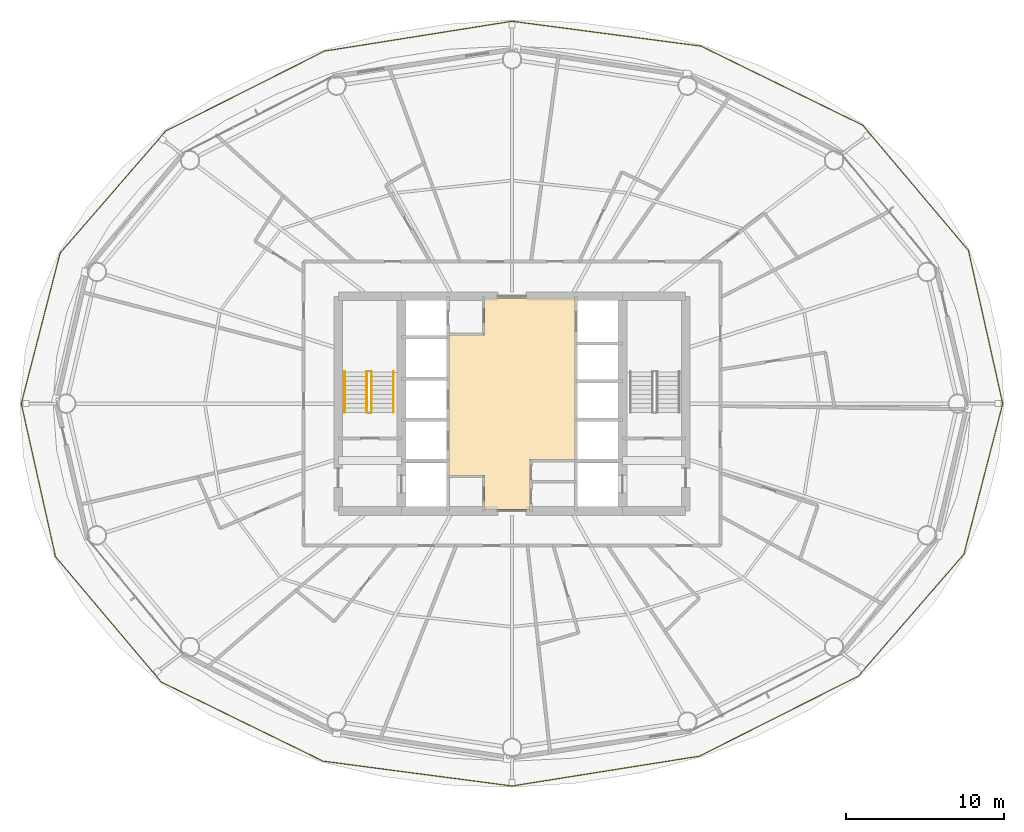
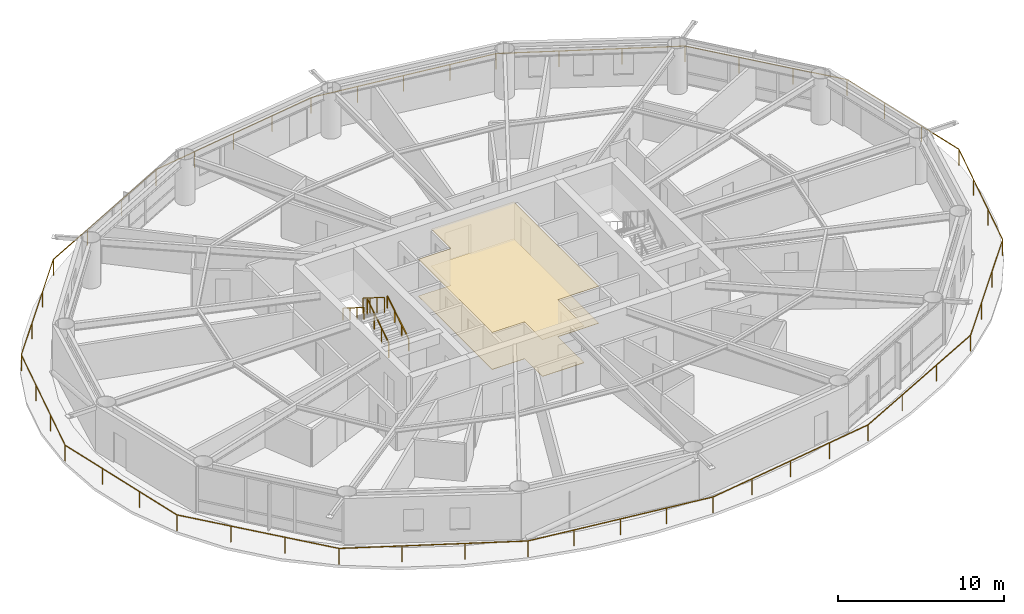
# One storey, part 23 of 24: 5 railings, 2 coverings.
"""IFC4 building model written with IfcOpenShell, lengths in metres."""

import ifcopenshell
import ifcopenshell.guid

model = None  # the IFC model being written
_history = None  # IfcOwnerHistory: only IFC2X3 demands one
_inside = {}  # id of a spatial element -> (the spatial element, [elements in it])
_under = {}  # id of a project, library or spatial element -> (it, [spatial elements below it])
_declared = {}  # id of a project -> (the project, [libraries it declares])
_typed = {}  # id of a type object -> (the type object, [elements of that type])
_made_of = {}  # id of a material, layer set ... -> (it, [elements and type objects made of it])


def new_model(schema):
    """Start an empty IFC model of exactly this schema.

    Asked for "IFC4X3", IfcOpenShell would pick the latest addendum, in which some entities
    have other attributes; the version numbers below select the first issue.
    IFC2X3 requires an IfcOwnerHistory on every rooted entity: one is made here for all.
    """
    global model, _history
    if schema == "IFC4X3":
        model = ifcopenshell.file(schema_version=(4, 3, 0, 0))
    else:
        model = ifcopenshell.file(schema=schema)
    _inside.clear()
    _under.clear()
    _declared.clear()
    _typed.clear()
    _made_of.clear()
    _history = None
    if model.schema == "IFC2X3":
        org = make("IfcOrganization", Name="unknown")
        user = make(
            "IfcPersonAndOrganization",
            ThePerson=make("IfcPerson", FamilyName="unknown"),
            TheOrganization=org,
        )
        app = make(
            "IfcApplication",
            ApplicationDeveloper=org,
            Version="unknown",
            ApplicationFullName="unknown",
            ApplicationIdentifier="unknown",
        )
        _history = make(
            "IfcOwnerHistory",
            OwningUser=user,
            OwningApplication=app,
            ChangeAction="ADDED",
            CreationDate=0,
        )
    return model


def make(cls, **values):
    """One entity of the class cls with the attributes given. An attribute that is None is left unset."""
    return model.create_entity(
        cls, **{name: value for name, value in values.items() if value is not None}
    )


def rooted(cls, **values):
    """An entity with a GlobalId (a new one), such as an element, a storey or a relation."""
    return make(cls, GlobalId=ifcopenshell.guid.new(), OwnerHistory=_history, **values)


def si_unit(unit_type, name, prefix=None):
    """IfcSIUnit, for example si_unit("LENGTHUNIT", "METRE", prefix="MILLI")."""
    return make("IfcSIUnit", UnitType=unit_type, Prefix=prefix, Name=name)


def assignment(units):
    """IfcUnitAssignment: the units of a project."""
    return None if units is None else make("IfcUnitAssignment", Units=units)


def point(xyz):
    """IfcCartesianPoint."""
    return None if xyz is None else make("IfcCartesianPoint", Coordinates=xyz)


def direction(xyz):
    """IfcDirection."""
    return None if xyz is None else make("IfcDirection", DirectionRatios=xyz)


def frame(location, z_axis=None, x_axis=None):
    """IfcAxis2Placement3D, a coordinate frame: its origin and axes. An axis left out is left unset."""
    return make(
        "IfcAxis2Placement3D",
        Location=point(location),
        Axis=direction(z_axis),
        RefDirection=direction(x_axis),
    )


def frame_2d(location, x_axis=None):
    """IfcAxis2Placement2D, a coordinate frame in the plane: its origin and x axis."""
    return make(
        "IfcAxis2Placement2D", Location=point(location), RefDirection=direction(x_axis)
    )


def origin():
    """The frame at (0, 0, 0) with its axes left unset."""
    return frame((0.0, 0.0, 0.0))


def origin_2d():
    """The frame at (0, 0) in the plane with its x axis left unset."""
    return frame_2d((0.0, 0.0))


def place(relative_to, where):
    """IfcLocalPlacement: puts the frame where relative to a parent placement (None: the world)."""
    return make(
        "IfcLocalPlacement", PlacementRelTo=relative_to, RelativePlacement=where
    )


def context(
    kind, dimensions, precision=None, world=None, true_north=None, identifier=None
):
    """IfcGeometricRepresentationContext, for example the 3D "Model" context."""
    return make(
        "IfcGeometricRepresentationContext",
        ContextIdentifier=identifier,
        ContextType=kind,
        CoordinateSpaceDimension=dimensions,
        Precision=precision,
        WorldCoordinateSystem=world,
        TrueNorth=true_north,
    )


def subcontext(parent, identifier, kind, view, scale=None):
    """IfcGeometricRepresentationSubContext, for example "Body" below "Model"."""
    return make(
        "IfcGeometricRepresentationSubContext",
        ContextIdentifier=identifier,
        ContextType=kind,
        ParentContext=parent,
        TargetScale=scale,
        TargetView=view,
    )


def project(units=None, contexts=None):
    """IfcProject with its units and contexts."""
    return rooted(
        "IfcProject",
        Name="project",
        RepresentationContexts=contexts,
        UnitsInContext=assignment(units),
    )


def spatial(cls, under=None, at=None, **own):
    """A site, building, storey or space (cls), placed at a placement, below another one or the project."""
    s = rooted(cls, ObjectPlacement=at, **own)
    if under is not None:
        _under.setdefault(under.id(), (under, []))[1].append(s)
    return s


def polyline(points):
    """IfcPolyline through the points."""
    return make("IfcPolyline", Points=[point(p) for p in points])


def profile(cls, at=None, kind="AREA", **sizes):
    """A parametric profile (cls). Its sizes go by their IFC names, for example OverallWidth=200.0."""
    return make(cls, ProfileType=kind, Position=at, **sizes)


def rectangle(**sizes):
    """IfcRectangleProfileDef."""
    return profile("IfcRectangleProfileDef", **sizes)


def outline(outer, holes=None, kind="AREA"):
    """IfcArbitraryClosedProfileDef: a profile drawn as a closed curve; with holes, ...WithVoids."""
    if holes is None:
        return make("IfcArbitraryClosedProfileDef", ProfileType=kind, OuterCurve=outer)
    return make(
        "IfcArbitraryProfileDefWithVoids",
        ProfileType=kind,
        OuterCurve=outer,
        InnerCurves=holes,
    )


def extrude(swept, where, along, depth):
    """IfcExtrudedAreaSolid: the profile swept, set in the frame where, extruded along a direction by depth."""
    return make(
        "IfcExtrudedAreaSolid",
        SweptArea=swept,
        Position=where,
        ExtrudedDirection=direction(along),
        Depth=depth,
    )


def shape(context_of_items, identifier, shape_type, items):
    """IfcShapeRepresentation: the items that make up one representation, for example the "Body"."""
    return make(
        "IfcShapeRepresentation",
        ContextOfItems=context_of_items,
        RepresentationIdentifier=identifier,
        RepresentationType=shape_type,
        Items=items,
    )


def material(Name=None, Category=None):
    """IfcMaterial."""
    return make("IfcMaterial", Name=Name, Category=Category)


def layer(
    of_material, thickness, ventilated=None, Name=None, Category=None, Priority=None
):
    """IfcMaterialLayer: one layer of a wall or slab, of a material (None: an air gap)."""
    return make(
        "IfcMaterialLayer",
        Material=of_material,
        LayerThickness=thickness,
        IsVentilated=ventilated,
        Name=Name,
        Category=Category,
        Priority=Priority,
    )


def layer_set(layers, Name=None):
    """IfcMaterialLayerSet."""
    return make("IfcMaterialLayerSet", MaterialLayers=layers, LayerSetName=Name)


def made_of(thing, what):
    """Note that an element or type object is made of a material, layer set ...; save() writes the relation."""
    if what is not None:
        _made_of.setdefault(what.id(), (what, []))[1].append(thing)
    return thing


def type_object(cls, material=None, **own):
    """A type object (cls), such as IfcWallType, which elements share."""
    return made_of(rooted(cls, **own), material)


def element(
    cls,
    number,
    at=None,
    inside=None,
    cuts=None,
    type_object=None,
    material=None,
    context=None,
    identifier="Body",
    shape_type=None,
    held_by="IfcProductDefinitionShape",
    body=None,
    shapes=None,
    **own,
):
    """One element of the class cls, such as IfcWall. Its Tag is "e" and its number.

    at: its placement. inside: the storey or other place that contains it. cuts: it is an
    opening in that element (IfcRelVoidsElement). A single representation is given by context,
    identifier, shape_type and body (its items); several are given by shapes. held_by: the class
    of the entity that holds the representations. save() writes the other relations.
    """
    e = rooted(cls, Tag="e%d" % number, ObjectPlacement=at, **own)
    if body is not None:
        shapes = [shape(context, identifier, shape_type, body)]
    if shapes is not None:
        e.Representation = make(held_by, Representations=shapes)
    if inside is not None:
        _inside.setdefault(inside.id(), (inside, []))[1].append(e)
    if cuts is not None:
        rooted(
            "IfcRelVoidsElement", RelatingBuildingElement=cuts, RelatedOpeningElement=e
        )
    if type_object is not None:
        _typed.setdefault(type_object.id(), (type_object, []))[1].append(e)
    return made_of(e, material)


def aggregate(whole, parts):
    """IfcRelAggregates: a whole, such as a stair, and the parts it consists of."""
    return rooted("IfcRelAggregates", RelatingObject=whole, RelatedObjects=parts)


def save(model, path):
    """Write the relations noted so far, then the file.

    IfcRelAggregates (storeys below a building ...), IfcRelContainedInSpatialStructure (elements
    in a storey), IfcRelDefinesByType, IfcRelAssociatesMaterial and IfcRelDeclares: one each for
    every whole, place, type object, material and project.
    """
    for whole, parts in _under.values():
        aggregate(whole, parts)
    for where, things in _inside.values():
        rooted(
            "IfcRelContainedInSpatialStructure",
            RelatedElements=things,
            RelatingStructure=where,
        )
    for kind, things in _typed.values():
        rooted("IfcRelDefinesByType", RelatedObjects=things, RelatingType=kind)
    for what, things in _made_of.values():
        rooted("IfcRelAssociatesMaterial", RelatedObjects=things, RelatingMaterial=what)
    for by, libraries in _declared.values():
        rooted("IfcRelDeclares", RelatingContext=by, RelatedDefinitions=libraries)
    model.write(path)


model = new_model("IFC4")

# Units and contexts
model_context = context("Model", 3, precision=1e-05, world=origin(), true_north=direction((0.0, 1.0)))
body_context = subcontext(model_context, "Body", "Model", "MODEL_VIEW")
ifc_project = project(units=[si_unit("LENGTHUNIT", "METRE"), si_unit("AREAUNIT", "SQUARE_METRE"), si_unit("VOLUMEUNIT", "CUBIC_METRE"), si_unit("PLANEANGLEUNIT", "RADIAN"), si_unit("MASSUNIT", "GRAM", prefix="KILO")], contexts=[model_context])

# Site, building, storey
site_placement = place(None, origin())
site = spatial("IfcSite", under=ifc_project, at=site_placement, CompositionType="ELEMENT")
building_placement = place(site_placement, origin())
building = spatial("IfcBuilding", under=site, at=building_placement, Name="Sarneth Arch Tower", CompositionType="ELEMENT")
storey_placement = place(building_placement, frame((0.0, 0.0, 112.800048828125)))
storey = spatial("IfcBuildingStorey", under=building, at=storey_placement, Name="L28", CompositionType="ELEMENT", Elevation=112.800048828125)

# Coverings
ifc_material_1 = material(Name="Perforated acoustic gypsum ceiling board")
ifc_layer_1 = layer(ifc_material_1, 0.02490234375)
ifc_layer_set_1 = layer_set([ifc_layer_1], Name="Perforated acoustic gypsum ceiling board")
covering_type_1 = type_object("IfcCoveringType", Name="COV-CEIL-GYP", PredefinedType="CEILING", material=ifc_layer_set_1)
covering_1_placement = place(storey_placement, frame((0.0, 0.0, 2.7099609375)))
element("IfcCovering", 1, at=covering_1_placement, inside=storey, type_object=covering_type_1, Name="L28 Lift lobby acoustic ceiling", PredefinedType="CEILING", context=body_context, shape_type="SweptSolid", body=[
    extrude(outline(polyline([(49.14990234375, 38.449951171875), (49.14990234375, 35.300048828125), (46.25, 35.300048828125), (46.25, 37.449951171875), (44.0, 37.449951171875), (44.0, 46.35009765625), (46.25, 46.35009765625), (46.25, 48.699951171875), (52.0, 48.699951171875), (52.0, 38.449951171875), (49.14990234375, 38.449951171875)])), origin(), (0.0, 0.0, 1.0), 0.030029296875),
])
ifc_material_2 = material(Name="Honed granite stone flooring", Category="masonry")
ifc_layer_2 = layer(ifc_material_2, 0.030029296875)
ifc_layer_set_2 = layer_set([ifc_layer_2], Name="Honed granite stone flooring")
covering_type_2 = type_object("IfcCoveringType", Name="COV-FLR-STONE", PredefinedType="FLOORING", material=ifc_layer_set_2)
covering_2_placement = place(storey_placement, origin())
element("IfcCovering", 2, at=covering_2_placement, inside=storey, type_object=covering_type_2, Name="L28 Lift lobby granite flooring", PredefinedType="FLOORING", context=body_context, shape_type="SweptSolid", body=[
    extrude(outline(polyline([(49.14990234375, 38.449951171875), (49.14990234375, 35.300048828125), (46.25, 35.300048828125), (46.25, 37.449951171875), (44.0, 37.449951171875), (44.0, 46.35009765625), (46.25, 46.35009765625), (46.25, 48.699951171875), (52.0, 48.699951171875), (52.0, 38.449951171875), (49.14990234375, 38.449951171875)])), origin(), (0.0, 0.0, 1.0), 0.030029296875),
])

# Railings
ifc_material_3 = material(Name="Laminated structural glass infill with Stainless Steel 316 top rail and posts", Category="steel")
railing_type_1 = type_object("IfcRailingType", Name="RAIL-BALC-1200", PredefinedType="BALUSTRADE", material=ifc_material_3)
railing_1_placement = place(storey_placement, frame((79.08349609375, 42.0, 0.0)))
element("IfcRailing", 3, at=railing_1_placement, inside=storey, type_object=railing_type_1, Name="L28 Helical balcony glass balustrade", PredefinedType="BALUSTRADE", context=body_context, shape_type="SweptSolid", body=[
    extrude(rectangle(XDim=0.048095703125, YDim=0.048095703125, at=origin_2d()), frame((0.0, 0.0, 1.17578125), z_axis=(-0.218474788223, 0.975842593306, 0.0), x_axis=(-0.975842593306, -0.218474788223, 0.0)), (0.0, 0.0, 1.0), 9.941162109375),
    extrude(rectangle(XDim=0.048095703125, YDim=0.048095703125, at=origin_2d()), frame((-2.171875, 9.700927734375, 1.17578125), z_axis=(-0.644942605532, 0.764231009296, 0.0), x_axis=(-0.764231009296, -0.644942605532, 0.0)), (0.0, 0.0, 1.0), 10.384765625),
    extrude(rectangle(XDim=0.048095703125, YDim=0.048095703125, at=origin_2d()), frame((-8.869384765625, 17.63720703125, 1.17578125), z_axis=(-0.898362949726, 0.439253924922, 0.0), x_axis=(-0.439253924922, -0.898362949726, 0.0)), (0.0, 0.0, 1.0), 11.3984375),
    extrude(rectangle(XDim=0.048095703125, YDim=0.048095703125, at=origin_2d()), frame((-19.109375, 22.64404296875, 1.17578125), z_axis=(-0.991458010601, 0.130426275015, 0.0), x_axis=(-0.130426275015, -0.991458010601, 0.0)), (0.0, 0.0, 1.0), 12.077392578125),
    extrude(rectangle(XDim=0.048095703125, YDim=0.048095703125, at=origin_2d()), frame((-31.08349609375, 24.21923828125, 1.17578125), z_axis=(-0.987562472128, -0.157227108492, 0.0), x_axis=(0.157227108492, -0.987562472128, 0.0)), (0.0, 0.0, 1.0), 12.02490234375),
    extrude(rectangle(XDim=0.048095703125, YDim=0.048095703125, at=origin_2d()), frame((-42.958740234375, 22.32861328125, 1.17578125), z_axis=(-0.893144421871, -0.449769987527, 0.0), x_axis=(0.449769987527, -0.893144421871, 0.0)), (0.0, 0.0, 1.0), 11.26123046875),
    extrude(rectangle(XDim=0.048095703125, YDim=0.048095703125, at=origin_2d()), frame((-53.0166015625, 17.263671875, 1.17578125), z_axis=(-0.654688544052, -0.755898743409, 0.0), x_axis=(0.755898743409, -0.654688544052, 0.0)), (0.0, 0.0, 1.0), 10.218017578125),
    extrude(rectangle(XDim=0.048095703125, YDim=0.048095703125, at=origin_2d()), frame((-59.706298828125, 9.539794921875, 1.17578125), z_axis=(-0.249764848011, -0.968306522078, 0.0), x_axis=(0.968306522078, -0.249764848011, 0.0)), (0.0, 0.0, 1.0), 9.85205078125),
    extrude(rectangle(XDim=0.048095703125, YDim=0.048095703125, at=origin_2d()), frame((-62.1669921875, 0.0, 1.17578125), z_axis=(0.218474788223, -0.975842593306, 0.0), x_axis=(0.975842593306, 0.218474788223, 0.0)), (0.0, 0.0, 1.0), 9.941162109375),
    extrude(rectangle(XDim=0.048095703125, YDim=0.048095703125, at=origin_2d()), frame((-59.9951171875, -9.700927734375, 1.17578125), z_axis=(0.644942605532, -0.764231009296, 0.0), x_axis=(0.764231009296, 0.644942605532, 0.0)), (0.0, 0.0, 1.0), 10.384765625),
    extrude(rectangle(XDim=0.048095703125, YDim=0.048095703125, at=origin_2d()), frame((-53.297607421875, -17.63720703125, 1.17578125), z_axis=(0.898362949726, -0.439253924922, 0.0), x_axis=(0.439253924922, 0.898362949726, 0.0)), (0.0, 0.0, 1.0), 11.3984375),
    extrude(rectangle(XDim=0.048095703125, YDim=0.048095703125, at=origin_2d()), frame((-43.0576171875, -22.64404296875, 1.17578125), z_axis=(0.991458010601, -0.130426275015, 0.0), x_axis=(0.130426275015, 0.991458010601, 0.0)), (0.0, 0.0, 1.0), 12.077392578125),
    extrude(rectangle(XDim=0.048095703125, YDim=0.048095703125, at=origin_2d()), frame((-31.08349609375, -24.21923828125, 1.17578125), z_axis=(0.987562472128, 0.157227108492, 0.0), x_axis=(-0.157227108492, 0.987562472128, 0.0)), (0.0, 0.0, 1.0), 12.02490234375),
    extrude(rectangle(XDim=0.048095703125, YDim=0.048095703125, at=origin_2d()), frame((-19.208251953125, -22.32861328125, 1.17578125), z_axis=(0.893144421871, 0.449769987527, 0.0), x_axis=(-0.449769987527, 0.893144421871, 0.0)), (0.0, 0.0, 1.0), 11.26123046875),
    extrude(rectangle(XDim=0.048095703125, YDim=0.048095703125, at=origin_2d()), frame((-9.150390625, -17.263671875, 1.17578125), z_axis=(0.654688544052, 0.755898743409, 0.0), x_axis=(-0.755898743409, 0.654688544052, 0.0)), (0.0, 0.0, 1.0), 10.218017578125),
    extrude(rectangle(XDim=0.048095703125, YDim=0.048095703125, at=origin_2d()), frame((-2.460693359375, -9.539794921875, 1.17578125), z_axis=(0.249764848011, 0.968306522078, 0.0), x_axis=(-0.968306522078, 0.249764848011, 0.0)), (0.0, 0.0, 1.0), 9.85205078125),
    extrude(rectangle(XDim=0.0419921875, YDim=0.0419921875, at=origin_2d()), origin(), (0.0, 0.0, 1.0), 1.15185546875),
    extrude(rectangle(XDim=0.0419921875, YDim=0.0419921875, at=origin_2d()), frame((-0.723876953125, 3.233642578125, 0.0)), (0.0, 0.0, 1.0), 1.15185546875),
    extrude(rectangle(XDim=0.0419921875, YDim=0.0419921875, at=origin_2d()), frame((-1.447998046875, 6.46728515625, 0.0)), (0.0, 0.0, 1.0), 1.15185546875),
    extrude(rectangle(XDim=0.0419921875, YDim=0.0419921875, at=origin_2d()), frame((-2.171875, 9.700927734375, 0.0)), (0.0, 0.0, 1.0), 1.15185546875),
    extrude(rectangle(XDim=0.0419921875, YDim=0.0419921875, at=origin_2d()), frame((-4.404296875, 12.346435546875, 0.0)), (0.0, 0.0, 1.0), 1.15185546875),
    extrude(rectangle(XDim=0.0419921875, YDim=0.0419921875, at=origin_2d()), frame((-6.636962890625, 14.99169921875, 0.0)), (0.0, 0.0, 1.0), 1.15185546875),
    extrude(rectangle(XDim=0.0419921875, YDim=0.0419921875, at=origin_2d()), frame((-8.869384765625, 17.63720703125, 0.0)), (0.0, 0.0, 1.0), 1.15185546875),
    extrude(rectangle(XDim=0.0419921875, YDim=0.0419921875, at=origin_2d()), frame((-12.28271484375, 19.30615234375, 0.0)), (0.0, 0.0, 1.0), 1.15185546875),
    extrude(rectangle(XDim=0.0419921875, YDim=0.0419921875, at=origin_2d()), frame((-15.696044921875, 20.97509765625, 0.0)), (0.0, 0.0, 1.0), 1.15185546875),
    extrude(rectangle(XDim=0.0419921875, YDim=0.0419921875, at=origin_2d()), frame((-19.109375, 22.64404296875, 0.0)), (0.0, 0.0, 1.0), 1.15185546875),
    extrude(rectangle(XDim=0.0419921875, YDim=0.0419921875, at=origin_2d()), frame((-22.10302734375, 23.037841796875, 0.0)), (0.0, 0.0, 1.0), 1.15185546875),
    extrude(rectangle(XDim=0.0419921875, YDim=0.0419921875, at=origin_2d()), frame((-25.096435546875, 23.431640625, 0.0)), (0.0, 0.0, 1.0), 1.15185546875),
    extrude(rectangle(XDim=0.0419921875, YDim=0.0419921875, at=origin_2d()), frame((-28.08984375, 23.825439453125, 0.0)), (0.0, 0.0, 1.0), 1.15185546875),
    extrude(rectangle(XDim=0.0419921875, YDim=0.0419921875, at=origin_2d()), frame((-31.08349609375, 24.21923828125, 0.0)), (0.0, 0.0, 1.0), 1.15185546875),
    extrude(rectangle(XDim=0.0419921875, YDim=0.0419921875, at=origin_2d()), frame((-34.05224609375, 23.74658203125, 0.0)), (0.0, 0.0, 1.0), 1.15185546875),
    extrude(rectangle(XDim=0.0419921875, YDim=0.0419921875, at=origin_2d()), frame((-37.02099609375, 23.27392578125, 0.0)), (0.0, 0.0, 1.0), 1.15185546875),
    extrude(rectangle(XDim=0.0419921875, YDim=0.0419921875, at=origin_2d()), frame((-39.989990234375, 22.80126953125, 0.0)), (0.0, 0.0, 1.0), 1.15185546875),
    extrude(rectangle(XDim=0.0419921875, YDim=0.0419921875, at=origin_2d()), frame((-42.958740234375, 22.32861328125, 0.0)), (0.0, 0.0, 1.0), 1.15185546875),
    extrude(rectangle(XDim=0.0419921875, YDim=0.0419921875, at=origin_2d()), frame((-46.311279296875, 20.640380859375, 0.0)), (0.0, 0.0, 1.0), 1.15185546875),
    extrude(rectangle(XDim=0.0419921875, YDim=0.0419921875, at=origin_2d()), frame((-49.6640625, 18.951904296875, 0.0)), (0.0, 0.0, 1.0), 1.15185546875),
    extrude(rectangle(XDim=0.0419921875, YDim=0.0419921875, at=origin_2d()), frame((-53.0166015625, 17.263671875, 0.0)), (0.0, 0.0, 1.0), 1.15185546875),
    extrude(rectangle(XDim=0.0419921875, YDim=0.0419921875, at=origin_2d()), frame((-55.24658203125, 14.68896484375, 0.0)), (0.0, 0.0, 1.0), 1.15185546875),
    extrude(rectangle(XDim=0.0419921875, YDim=0.0419921875, at=origin_2d()), frame((-57.476318359375, 12.114501953125, 0.0)), (0.0, 0.0, 1.0), 1.15185546875),
    extrude(rectangle(XDim=0.0419921875, YDim=0.0419921875, at=origin_2d()), frame((-59.706298828125, 9.539794921875, 0.0)), (0.0, 0.0, 1.0), 1.15185546875),
    extrude(rectangle(XDim=0.0419921875, YDim=0.0419921875, at=origin_2d()), frame((-60.526611328125, 6.35986328125, 0.0)), (0.0, 0.0, 1.0), 1.15185546875),
    extrude(rectangle(XDim=0.0419921875, YDim=0.0419921875, at=origin_2d()), frame((-61.3466796875, 3.179931640625, 0.0)), (0.0, 0.0, 1.0), 1.15185546875),
    extrude(rectangle(XDim=0.0419921875, YDim=0.0419921875, at=origin_2d()), frame((-62.1669921875, 0.0, 0.0)), (0.0, 0.0, 1.0), 1.15185546875),
    extrude(rectangle(XDim=0.0419921875, YDim=0.0419921875, at=origin_2d()), frame((-61.443115234375, -3.233642578125, 0.0)), (0.0, 0.0, 1.0), 1.15185546875),
    extrude(rectangle(XDim=0.0419921875, YDim=0.0419921875, at=origin_2d()), frame((-60.718994140625, -6.46728515625, 0.0)), (0.0, 0.0, 1.0), 1.15185546875),
    extrude(rectangle(XDim=0.0419921875, YDim=0.0419921875, at=origin_2d()), frame((-59.9951171875, -9.700927734375, 0.0)), (0.0, 0.0, 1.0), 1.15185546875),
    extrude(rectangle(XDim=0.0419921875, YDim=0.0419921875, at=origin_2d()), frame((-57.7626953125, -12.346435546875, 0.0)), (0.0, 0.0, 1.0), 1.15185546875),
    extrude(rectangle(XDim=0.0419921875, YDim=0.0419921875, at=origin_2d()), frame((-55.530029296875, -14.99169921875, 0.0)), (0.0, 0.0, 1.0), 1.15185546875),
    extrude(rectangle(XDim=0.0419921875, YDim=0.0419921875, at=origin_2d()), frame((-53.297607421875, -17.63720703125, 0.0)), (0.0, 0.0, 1.0), 1.15185546875),
    extrude(rectangle(XDim=0.0419921875, YDim=0.0419921875, at=origin_2d()), frame((-49.88427734375, -19.30615234375, 0.0)), (0.0, 0.0, 1.0), 1.15185546875),
    extrude(rectangle(XDim=0.0419921875, YDim=0.0419921875, at=origin_2d()), frame((-46.470947265625, -20.97509765625, 0.0)), (0.0, 0.0, 1.0), 1.15185546875),
    extrude(rectangle(XDim=0.0419921875, YDim=0.0419921875, at=origin_2d()), frame((-43.0576171875, -22.64404296875, 0.0)), (0.0, 0.0, 1.0), 1.15185546875),
    extrude(rectangle(XDim=0.0419921875, YDim=0.0419921875, at=origin_2d()), frame((-40.06396484375, -23.037841796875, 0.0)), (0.0, 0.0, 1.0), 1.15185546875),
    extrude(rectangle(XDim=0.0419921875, YDim=0.0419921875, at=origin_2d()), frame((-37.070556640625, -23.431640625, 0.0)), (0.0, 0.0, 1.0), 1.15185546875),
    extrude(rectangle(XDim=0.0419921875, YDim=0.0419921875, at=origin_2d()), frame((-34.0771484375, -23.825439453125, 0.0)), (0.0, 0.0, 1.0), 1.15185546875),
    extrude(rectangle(XDim=0.0419921875, YDim=0.0419921875, at=origin_2d()), frame((-31.08349609375, -24.21923828125, 0.0)), (0.0, 0.0, 1.0), 1.15185546875),
    extrude(rectangle(XDim=0.0419921875, YDim=0.0419921875, at=origin_2d()), frame((-28.11474609375, -23.74658203125, 0.0)), (0.0, 0.0, 1.0), 1.15185546875),
    extrude(rectangle(XDim=0.0419921875, YDim=0.0419921875, at=origin_2d()), frame((-25.14599609375, -23.27392578125, 0.0)), (0.0, 0.0, 1.0), 1.15185546875),
    extrude(rectangle(XDim=0.0419921875, YDim=0.0419921875, at=origin_2d()), frame((-22.177001953125, -22.80126953125, 0.0)), (0.0, 0.0, 1.0), 1.15185546875),
    extrude(rectangle(XDim=0.0419921875, YDim=0.0419921875, at=origin_2d()), frame((-19.208251953125, -22.32861328125, 0.0)), (0.0, 0.0, 1.0), 1.15185546875),
    extrude(rectangle(XDim=0.0419921875, YDim=0.0419921875, at=origin_2d()), frame((-15.855712890625, -20.640380859375, 0.0)), (0.0, 0.0, 1.0), 1.15185546875),
    extrude(rectangle(XDim=0.0419921875, YDim=0.0419921875, at=origin_2d()), frame((-12.5029296875, -18.951904296875, 0.0)), (0.0, 0.0, 1.0), 1.15185546875),
    extrude(rectangle(XDim=0.0419921875, YDim=0.0419921875, at=origin_2d()), frame((-9.150390625, -17.263671875, 0.0)), (0.0, 0.0, 1.0), 1.15185546875),
    extrude(rectangle(XDim=0.0419921875, YDim=0.0419921875, at=origin_2d()), frame((-6.92041015625, -14.68896484375, 0.0)), (0.0, 0.0, 1.0), 1.15185546875),
    extrude(rectangle(XDim=0.0419921875, YDim=0.0419921875, at=origin_2d()), frame((-4.690673828125, -12.114501953125, 0.0)), (0.0, 0.0, 1.0), 1.15185546875),
    extrude(rectangle(XDim=0.0419921875, YDim=0.0419921875, at=origin_2d()), frame((-2.460693359375, -9.539794921875, 0.0)), (0.0, 0.0, 1.0), 1.15185546875),
    extrude(rectangle(XDim=0.0419921875, YDim=0.0419921875, at=origin_2d()), frame((-1.640380859375, -6.35986328125, 0.0)), (0.0, 0.0, 1.0), 1.15185546875),
    extrude(rectangle(XDim=0.0419921875, YDim=0.0419921875, at=origin_2d()), frame((-0.8203125, -3.179931640625, 0.0)), (0.0, 0.0, 1.0), 1.15185546875),
])
ifc_material_4 = material(Name="Brushed Stainless Steel 304 tubular handrail", Category="steel")
railing_type_2 = type_object("IfcRailingType", Name="RAIL-HANDRAIL-900", PredefinedType="HANDRAIL", material=ifc_material_4)
railing_2_placement = place(storey_placement, frame((40.5, 41.449951171875, 0.179931640625)))
element("IfcRailing", 4, at=railing_2_placement, inside=storey, type_object=railing_type_2, Name="L28 ST-1 stair handrail 1", PredefinedType="HANDRAIL", context=body_context, shape_type="SweptSolid", body=[
    extrude(rectangle(XDim=0.048095703125, YDim=0.048095703125, at=origin_2d()), frame((0.0, 0.0, 0.8759765625), z_axis=(0.0, 0.845465955043, 0.534029323973), x_axis=(-1.0, 0.0, 0.0)), (0.0, 0.0, 1.0), 3.03369140625),
    extrude(rectangle(XDim=0.0419921875, YDim=0.0419921875, at=origin_2d()), origin(), (0.0, 0.0, 1.0), 0.851806640625),
    extrude(rectangle(XDim=0.0419921875, YDim=0.0419921875, at=origin_2d()), frame((0.0, 0.85498046875, 0.5400390625)), (0.0, 0.0, 1.0), 0.851806640625),
    extrude(rectangle(XDim=0.0419921875, YDim=0.0419921875, at=origin_2d()), frame((0.0, 1.7099609375, 1.080078125)), (0.0, 0.0, 1.0), 0.851806640625),
    extrude(rectangle(XDim=0.0419921875, YDim=0.0419921875, at=origin_2d()), frame((0.0, 2.56494140625, 1.6201171875)), (0.0, 0.0, 1.0), 0.851806640625),
])
railing_3_placement = place(storey_placement, frame((37.39990234375, 44.014892578125, 1.97998046875)))
element("IfcRailing", 5, at=railing_3_placement, inside=storey, type_object=railing_type_2, Name="L28 ST-1 stair handrail 2", PredefinedType="HANDRAIL", context=body_context, shape_type="SweptSolid", body=[
    extrude(rectangle(XDim=0.048095703125, YDim=0.048095703125, at=origin_2d()), frame((0.0, 0.0, 0.8759765625), z_axis=(0.0, -0.845502289212, 0.533971796014), x_axis=(1.0, 0.0, 0.0)), (0.0, 0.0, 1.0), 3.03369140625),
    extrude(rectangle(XDim=0.0419921875, YDim=0.0419921875, at=origin_2d()), origin(), (0.0, 0.0, 1.0), 0.851806640625),
    extrude(rectangle(XDim=0.0419921875, YDim=0.0419921875, at=origin_2d()), frame((0.0, -0.85498046875, 0.5400390625)), (0.0, 0.0, 1.0), 0.851806640625),
    extrude(rectangle(XDim=0.0419921875, YDim=0.0419921875, at=origin_2d()), frame((0.0, -1.7099609375, 1.079833984375)), (0.0, 0.0, 1.0), 0.851806640625),
    extrude(rectangle(XDim=0.0419921875, YDim=0.0419921875, at=origin_2d()), frame((0.0, -2.56494140625, 1.619873046875)), (0.0, 0.0, 1.0), 0.851806640625),
])
ifc_material_5 = material(Name="Painted Steel S275 stair well guard", Category="steel")
railing_type_3 = type_object("IfcRailingType", Name="RAIL-STAIR-GUARD", PredefinedType="GUARDRAIL", material=ifc_material_5)
railing_4_placement = place(storey_placement, frame((39.10009765625, 41.449951171875, 0.179931640625)))
element("IfcRailing", 6, at=railing_4_placement, inside=storey, type_object=railing_type_3, Name="L28 ST-1 stair guard 1", PredefinedType="GUARDRAIL", context=body_context, shape_type="SweptSolid", body=[
    extrude(rectangle(XDim=0.048095703125, YDim=0.048095703125, at=origin_2d()), frame((0.0, 0.0, 1.1259765625), z_axis=(0.0, 0.845465955043, 0.534029323973), x_axis=(-1.0, 0.0, 0.0)), (0.0, 0.0, 1.0), 3.03369140625),
    extrude(rectangle(XDim=0.0419921875, YDim=0.0419921875, at=origin_2d()), origin(), (0.0, 0.0, 1.0), 1.101806640625),
    extrude(rectangle(XDim=0.0419921875, YDim=0.0419921875, at=origin_2d()), frame((0.0, 0.85498046875, 0.5400390625)), (0.0, 0.0, 1.0), 1.101806640625),
    extrude(rectangle(XDim=0.0419921875, YDim=0.0419921875, at=origin_2d()), frame((0.0, 1.7099609375, 1.080078125)), (0.0, 0.0, 1.0), 1.101806640625),
    extrude(rectangle(XDim=0.0419921875, YDim=0.0419921875, at=origin_2d()), frame((0.0, 2.56494140625, 1.6201171875)), (0.0, 0.0, 1.0), 1.101806640625),
])
railing_5_placement = place(storey_placement, frame((38.800048828125, 44.014892578125, 1.97998046875)))
element("IfcRailing", 7, at=railing_5_placement, inside=storey, type_object=railing_type_3, Name="L28 ST-1 stair guard 3", PredefinedType="GUARDRAIL", context=body_context, shape_type="SweptSolid", body=[
    extrude(rectangle(XDim=0.048095703125, YDim=0.048095703125, at=origin_2d()), frame((0.0, 0.0, 1.1259765625), z_axis=(0.0, -0.845502289212, 0.533971796014), x_axis=(1.0, 0.0, 0.0)), (0.0, 0.0, 1.0), 3.03369140625),
    extrude(rectangle(XDim=0.0419921875, YDim=0.0419921875, at=origin_2d()), origin(), (0.0, 0.0, 1.0), 1.101806640625),
    extrude(rectangle(XDim=0.0419921875, YDim=0.0419921875, at=origin_2d()), frame((0.0, -0.85498046875, 0.5400390625)), (0.0, 0.0, 1.0), 1.101806640625),
    extrude(rectangle(XDim=0.0419921875, YDim=0.0419921875, at=origin_2d()), frame((0.0, -1.7099609375, 1.079833984375)), (0.0, 0.0, 1.0), 1.101806640625),
    extrude(rectangle(XDim=0.0419921875, YDim=0.0419921875, at=origin_2d()), frame((0.0, -2.56494140625, 1.619873046875)), (0.0, 0.0, 1.0), 1.101806640625),
])

save(model, "model.ifc")
